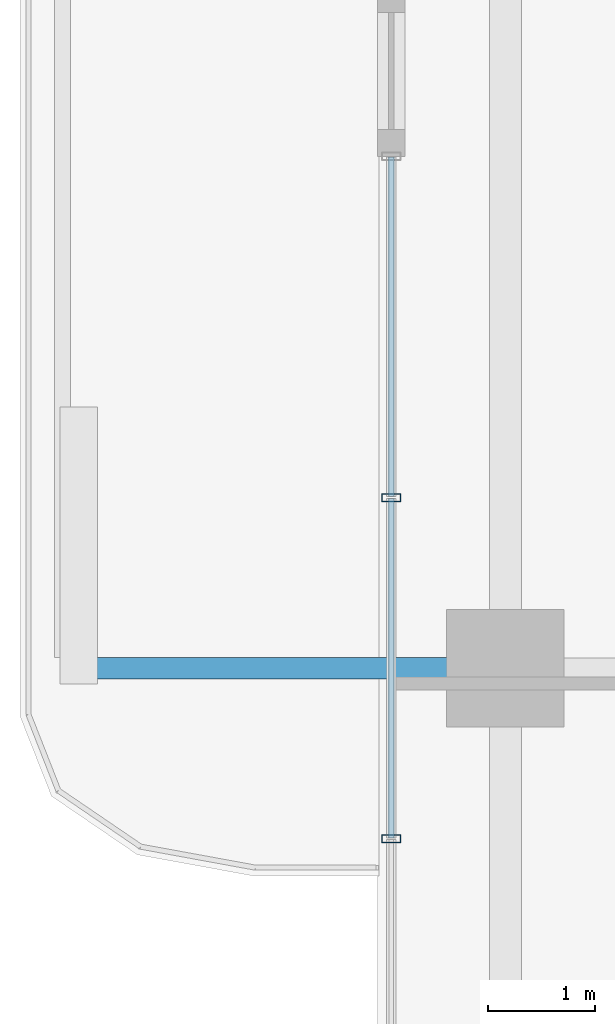
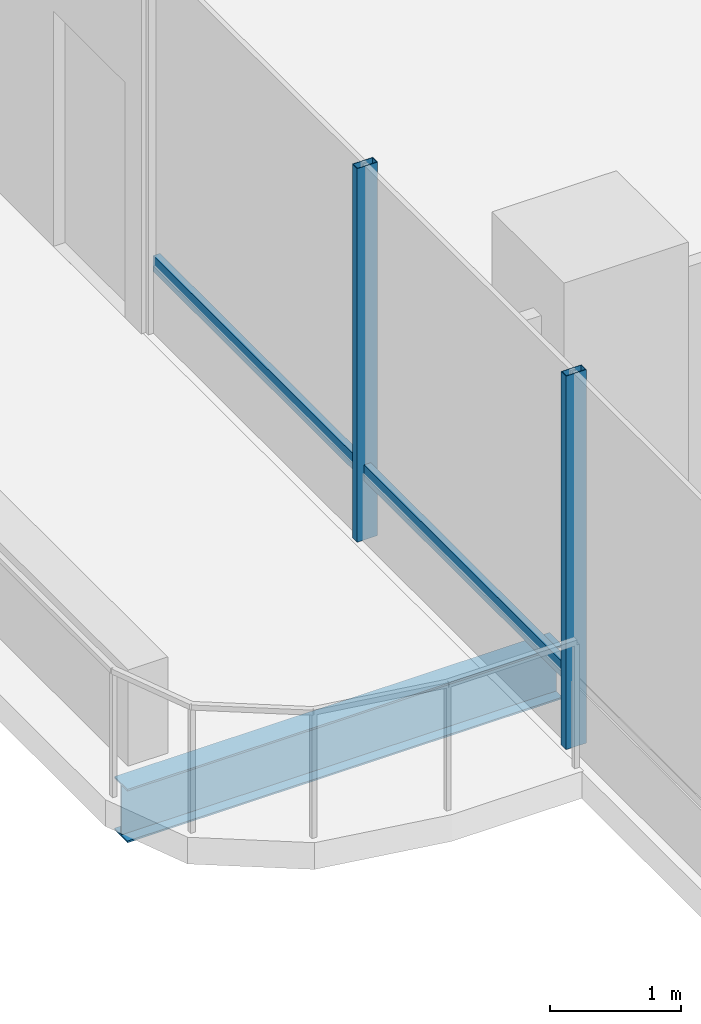
# One storey, part 6 of 25: 4 members, 1 beam, 1 element without a shape of its own.
"""IFC4 building model written with IfcOpenShell, lengths in metres."""

import ifcopenshell
import ifcopenshell.guid

model = None  # the IFC model being written
_history = None  # IfcOwnerHistory: only IFC2X3 demands one
_inside = {}  # id of a spatial element -> (the spatial element, [elements in it])
_under = {}  # id of a project, library or spatial element -> (it, [spatial elements below it])
_declared = {}  # id of a project -> (the project, [libraries it declares])
_typed = {}  # id of a type object -> (the type object, [elements of that type])
_made_of = {}  # id of a material, layer set ... -> (it, [elements and type objects made of it])


def new_model(schema):
    """Start an empty IFC model of exactly this schema.

    Asked for "IFC4X3", IfcOpenShell would pick the latest addendum, in which some entities
    have other attributes; the version numbers below select the first issue.
    IFC2X3 requires an IfcOwnerHistory on every rooted entity: one is made here for all.
    """
    global model, _history
    if schema == "IFC4X3":
        model = ifcopenshell.file(schema_version=(4, 3, 0, 0))
    else:
        model = ifcopenshell.file(schema=schema)
    _inside.clear()
    _under.clear()
    _declared.clear()
    _typed.clear()
    _made_of.clear()
    _history = None
    if model.schema == "IFC2X3":
        org = make("IfcOrganization", Name="unknown")
        user = make(
            "IfcPersonAndOrganization",
            ThePerson=make("IfcPerson", FamilyName="unknown"),
            TheOrganization=org,
        )
        app = make(
            "IfcApplication",
            ApplicationDeveloper=org,
            Version="unknown",
            ApplicationFullName="unknown",
            ApplicationIdentifier="unknown",
        )
        _history = make(
            "IfcOwnerHistory",
            OwningUser=user,
            OwningApplication=app,
            ChangeAction="ADDED",
            CreationDate=0,
        )
    return model


def make(cls, **values):
    """One entity of the class cls with the attributes given. An attribute that is None is left unset."""
    return model.create_entity(
        cls, **{name: value for name, value in values.items() if value is not None}
    )


def rooted(cls, **values):
    """An entity with a GlobalId (a new one), such as an element, a storey or a relation."""
    return make(cls, GlobalId=ifcopenshell.guid.new(), OwnerHistory=_history, **values)


def si_unit(unit_type, name, prefix=None):
    """IfcSIUnit, for example si_unit("LENGTHUNIT", "METRE", prefix="MILLI")."""
    return make("IfcSIUnit", UnitType=unit_type, Prefix=prefix, Name=name)


def assignment(units):
    """IfcUnitAssignment: the units of a project."""
    return None if units is None else make("IfcUnitAssignment", Units=units)


def point(xyz):
    """IfcCartesianPoint."""
    return None if xyz is None else make("IfcCartesianPoint", Coordinates=xyz)


def direction(xyz):
    """IfcDirection."""
    return None if xyz is None else make("IfcDirection", DirectionRatios=xyz)


def frame(location, z_axis=None, x_axis=None):
    """IfcAxis2Placement3D, a coordinate frame: its origin and axes. An axis left out is left unset."""
    return make(
        "IfcAxis2Placement3D",
        Location=point(location),
        Axis=direction(z_axis),
        RefDirection=direction(x_axis),
    )


def frame_2d(location, x_axis=None):
    """IfcAxis2Placement2D, a coordinate frame in the plane: its origin and x axis."""
    return make(
        "IfcAxis2Placement2D", Location=point(location), RefDirection=direction(x_axis)
    )


def origin():
    """The frame at (0, 0, 0) with its axes left unset."""
    return frame((0.0, 0.0, 0.0))


def origin_2d():
    """The frame at (0, 0) in the plane with its x axis left unset."""
    return frame_2d((0.0, 0.0))


def place(relative_to, where):
    """IfcLocalPlacement: puts the frame where relative to a parent placement (None: the world)."""
    return make(
        "IfcLocalPlacement", PlacementRelTo=relative_to, RelativePlacement=where
    )


def context(
    kind, dimensions, precision=None, world=None, true_north=None, identifier=None
):
    """IfcGeometricRepresentationContext, for example the 3D "Model" context."""
    return make(
        "IfcGeometricRepresentationContext",
        ContextIdentifier=identifier,
        ContextType=kind,
        CoordinateSpaceDimension=dimensions,
        Precision=precision,
        WorldCoordinateSystem=world,
        TrueNorth=true_north,
    )


def subcontext(parent, identifier, kind, view, scale=None):
    """IfcGeometricRepresentationSubContext, for example "Body" below "Model"."""
    return make(
        "IfcGeometricRepresentationSubContext",
        ContextIdentifier=identifier,
        ContextType=kind,
        ParentContext=parent,
        TargetScale=scale,
        TargetView=view,
    )


def project(units=None, contexts=None):
    """IfcProject with its units and contexts."""
    return rooted(
        "IfcProject",
        Name="project",
        RepresentationContexts=contexts,
        UnitsInContext=assignment(units),
    )


def spatial(cls, under=None, at=None, **own):
    """A site, building, storey or space (cls), placed at a placement, below another one or the project."""
    s = rooted(cls, ObjectPlacement=at, **own)
    if under is not None:
        _under.setdefault(under.id(), (under, []))[1].append(s)
    return s


def profile(cls, at=None, kind="AREA", **sizes):
    """A parametric profile (cls). Its sizes go by their IFC names, for example OverallWidth=200.0."""
    return make(cls, ProfileType=kind, Position=at, **sizes)


def hollow_rectangle(**sizes):
    """IfcRectangleHollowProfileDef."""
    return profile("IfcRectangleHollowProfileDef", **sizes)


def i_section(**sizes):
    """IfcIShapeProfileDef."""
    return profile("IfcIShapeProfileDef", **sizes)


def extrude(swept, where, along, depth):
    """IfcExtrudedAreaSolid: the profile swept, set in the frame where, extruded along a direction by depth."""
    return make(
        "IfcExtrudedAreaSolid",
        SweptArea=swept,
        Position=where,
        ExtrudedDirection=direction(along),
        Depth=depth,
    )


def shape(context_of_items, identifier, shape_type, items):
    """IfcShapeRepresentation: the items that make up one representation, for example the "Body"."""
    return make(
        "IfcShapeRepresentation",
        ContextOfItems=context_of_items,
        RepresentationIdentifier=identifier,
        RepresentationType=shape_type,
        Items=items,
    )


def material(Name=None, Category=None):
    """IfcMaterial."""
    return make("IfcMaterial", Name=Name, Category=Category)


def layer(
    of_material, thickness, ventilated=None, Name=None, Category=None, Priority=None
):
    """IfcMaterialLayer: one layer of a wall or slab, of a material (None: an air gap)."""
    return make(
        "IfcMaterialLayer",
        Material=of_material,
        LayerThickness=thickness,
        IsVentilated=ventilated,
        Name=Name,
        Category=Category,
        Priority=Priority,
    )


def layer_set(layers, Name=None):
    """IfcMaterialLayerSet."""
    return make("IfcMaterialLayerSet", MaterialLayers=layers, LayerSetName=Name)


def material_profile(
    of_material, cross_section, Name=None, Category=None, Priority=None
):
    """IfcMaterialProfile: a cross section and its material."""
    return make(
        "IfcMaterialProfile",
        Name=Name,
        Material=of_material,
        Profile=cross_section,
        Priority=Priority,
        Category=Category,
    )


def profile_set(profiles, Name=None, composite=None):
    """IfcMaterialProfileSet."""
    return make(
        "IfcMaterialProfileSet",
        Name=Name,
        MaterialProfiles=profiles,
        CompositeProfile=composite,
    )


def made_of(thing, what):
    """Note that an element or type object is made of a material, layer set ...; save() writes the relation."""
    if what is not None:
        _made_of.setdefault(what.id(), (what, []))[1].append(thing)
    return thing


def type_object(cls, material=None, **own):
    """A type object (cls), such as IfcWallType, which elements share."""
    return made_of(rooted(cls, **own), material)


def element(
    cls,
    number,
    at=None,
    inside=None,
    cuts=None,
    type_object=None,
    material=None,
    context=None,
    identifier="Body",
    shape_type=None,
    held_by="IfcProductDefinitionShape",
    body=None,
    shapes=None,
    **own,
):
    """One element of the class cls, such as IfcWall. Its Tag is "e" and its number.

    at: its placement. inside: the storey or other place that contains it. cuts: it is an
    opening in that element (IfcRelVoidsElement). A single representation is given by context,
    identifier, shape_type and body (its items); several are given by shapes. held_by: the class
    of the entity that holds the representations. save() writes the other relations.
    """
    e = rooted(cls, Tag="e%d" % number, ObjectPlacement=at, **own)
    if body is not None:
        shapes = [shape(context, identifier, shape_type, body)]
    if shapes is not None:
        e.Representation = make(held_by, Representations=shapes)
    if inside is not None:
        _inside.setdefault(inside.id(), (inside, []))[1].append(e)
    if cuts is not None:
        rooted(
            "IfcRelVoidsElement", RelatingBuildingElement=cuts, RelatedOpeningElement=e
        )
    if type_object is not None:
        _typed.setdefault(type_object.id(), (type_object, []))[1].append(e)
    return made_of(e, material)


def aggregate(whole, parts):
    """IfcRelAggregates: a whole, such as a stair, and the parts it consists of."""
    return rooted("IfcRelAggregates", RelatingObject=whole, RelatedObjects=parts)


def save(model, path):
    """Write the relations noted so far, then the file.

    IfcRelAggregates (storeys below a building ...), IfcRelContainedInSpatialStructure (elements
    in a storey), IfcRelDefinesByType, IfcRelAssociatesMaterial and IfcRelDeclares: one each for
    every whole, place, type object, material and project.
    """
    for whole, parts in _under.values():
        aggregate(whole, parts)
    for where, things in _inside.values():
        rooted(
            "IfcRelContainedInSpatialStructure",
            RelatedElements=things,
            RelatingStructure=where,
        )
    for kind, things in _typed.values():
        rooted("IfcRelDefinesByType", RelatedObjects=things, RelatingType=kind)
    for what, things in _made_of.values():
        rooted("IfcRelAssociatesMaterial", RelatedObjects=things, RelatingMaterial=what)
    for by, libraries in _declared.values():
        rooted("IfcRelDeclares", RelatingContext=by, RelatedDefinitions=libraries)
    model.write(path)


model = new_model("IFC4")

# Units and contexts
model_context = context("Model", 3, precision=1e-05, world=origin(), true_north=direction((0.0, 1.0)))
body_context = subcontext(model_context, "Body", "Model", "MODEL_VIEW")
ifc_project = project(units=[si_unit("LENGTHUNIT", "METRE"), si_unit("AREAUNIT", "SQUARE_METRE"), si_unit("VOLUMEUNIT", "CUBIC_METRE"), si_unit("PLANEANGLEUNIT", "RADIAN"), si_unit("MASSUNIT", "GRAM", prefix="KILO")], contexts=[model_context])

# Site, building, storey
site_placement = place(None, origin())
site = spatial("IfcSite", under=ifc_project, at=site_placement, CompositionType="ELEMENT")
building_placement = place(site_placement, origin())
building = spatial("IfcBuilding", under=site, at=building_placement, Name="Belovzor Exchange Tower", CompositionType="ELEMENT")
storey_placement = place(building_placement, frame((0.0, 0.0, 160.800048828125)))
storey = spatial("IfcBuildingStorey", under=building, at=storey_placement, Name="L39", CompositionType="ELEMENT", Elevation=160.800048828125)

# Beam
ifc_material_1 = material(Name="Steel S355", Category="steel")
ifc_material_profile_1 = material_profile(ifc_material_1, i_section(OverallWidth=0.199951171875, OverallDepth=0.5, WebThickness=0.01025390625, FlangeThickness=0.01611328125, at=origin_2d()))
ifc_profile_set_1 = profile_set([ifc_material_profile_1], Name="Steel S355")
beam_type = type_object("IfcBeamType", Name="Planted Balcony Cantilever Beam IPE 500", PredefinedType="BEAM", material=ifc_profile_set_1)
beam_placement = place(storey_placement, frame((5.39697265625, 28.800048828125, -0.505126953125), z_axis=(-1.0, 0.0, 0.0), x_axis=(0.0, -1.0, 0.0)))
element("IfcBeam", 1, at=beam_placement, inside=storey, type_object=beam_type, Name="BC-500 Planted Balcony Cantilever Beam IPE 500", PredefinedType="BEAM", context=body_context, shape_type="SweptSolid", body=[
    extrude(i_section(OverallWidth=0.199951171875, OverallDepth=0.5, WebThickness=0.01025390625, FlangeThickness=0.01611328125, at=origin_2d()), origin(), (0.0, 0.0, 1.0), 3.849853515625),
])

# Curtain wall, members
ifc_material_2 = material(Name="Anodised Aluminium Framing", Category="aluminium")
ifc_layer = layer(ifc_material_2, 0.179931640625)
ifc_layer_set = layer_set([ifc_layer], Name="Anodised Aluminium Framing")
curtain_wall_type = type_object("IfcCurtainWallType", Name="Recessed Loggia Low-Iron Triple-Glazed Curtain Wall", PredefinedType="NOTDEFINED", material=ifc_layer_set)
curtain_wall_placement = place(storey_placement, origin())
curtain_wall = element("IfcCurtainWall", 2, at=curtain_wall_placement, inside=storey, type_object=curtain_wall_type, Name="CW3 Recessed Loggia Low-Iron Triple-Glazed Curtain Wall L39", PredefinedType="NOTDEFINED")
ifc_material_3 = material(Name="Steel S355", Category="steel")
ifc_material_profile_2 = material_profile(ifc_material_3, hollow_rectangle(XDim=0.074951171875, YDim=0.179931640625, WallThickness=0.0048828125, at=origin_2d()))
ifc_profile_set_2 = profile_set([ifc_material_profile_2], Name="Steel S355")
member_type_1 = type_object("IfcMemberType", Name="Thermally Broken Curtain Wall Mullion 180x75", PredefinedType="MULLION", material=ifc_profile_set_2)
member_1_placement = place(storey_placement, frame((4.6298828125, 27.199951171875, 0.0), z_axis=(0.0, 0.0, 1.0), x_axis=(0.0, 1.0, 0.0)))
member_1 = element("IfcMember", 3, at=member_1_placement, type_object=member_type_1, Name="CW-M180 Curtain Wall Mullion 2", PredefinedType="MULLION", context=body_context, shape_type="SweptSolid", body=[
    extrude(hollow_rectangle(XDim=0.074951171875, YDim=0.179931640625, WallThickness=0.0048828125, at=origin_2d()), origin(), (0.0, 0.0, 1.0), 3.494873046875),
])
member_2_placement = place(storey_placement, frame((4.6298828125, 30.39990234375, 0.0), z_axis=(0.0, 0.0, 1.0), x_axis=(0.0, 1.0, 0.0)))
member_2 = element("IfcMember", 4, at=member_2_placement, type_object=member_type_1, Name="CW-M180 Curtain Wall Mullion 3", PredefinedType="MULLION", context=body_context, shape_type="SweptSolid", body=[
    extrude(hollow_rectangle(XDim=0.074951171875, YDim=0.179931640625, WallThickness=0.0048828125, at=origin_2d()), origin(), (0.0, 0.0, 1.0), 3.494873046875),
])
ifc_material_4 = material(Name="Steel S355", Category="steel")
ifc_material_profile_3 = material_profile(ifc_material_4, hollow_rectangle(XDim=0.06005859375, YDim=0.14990234375, WallThickness=0.00390625, at=origin_2d()))
ifc_profile_set_3 = profile_set([ifc_material_profile_3], Name="Steel S355")
member_type_2 = type_object("IfcMemberType", Name="Thermally Broken Curtain Wall Transom 150x60", PredefinedType="USERDEFINED", material=ifc_profile_set_3)
member_3_placement = place(storey_placement, frame((4.6298828125, 27.2080078125, 0.62890625), z_axis=(0.0, 1.0, 0.0), x_axis=(-1.0, 0.0, 0.0)))
member_3 = element("IfcMember", 5, at=member_3_placement, type_object=member_type_2, Name="CW-T150 Curtain Wall Transom 2", ObjectType="TRANSOM", PredefinedType="USERDEFINED", context=body_context, shape_type="SweptSolid", body=[
    extrude(hollow_rectangle(XDim=0.06005859375, YDim=0.14990234375, WallThickness=0.00390625, at=origin_2d()), origin(), (0.0, 0.0, 1.0), 3.18408203125),
])
member_4_placement = place(storey_placement, frame((4.6298828125, 30.407958984375, 0.62890625), z_axis=(0.0, 1.0, 0.0), x_axis=(-1.0, 0.0, 0.0)))
member_4 = element("IfcMember", 6, at=member_4_placement, type_object=member_type_2, Name="CW-T150 Curtain Wall Transom 3", ObjectType="TRANSOM", PredefinedType="USERDEFINED", context=body_context, shape_type="SweptSolid", body=[
    extrude(hollow_rectangle(XDim=0.06005859375, YDim=0.14990234375, WallThickness=0.00390625, at=origin_2d()), origin(), (0.0, 0.0, 1.0), 3.18408203125),
])
aggregate(curtain_wall, [member_1, member_2, member_3, member_4])

save(model, "model.ifc")
